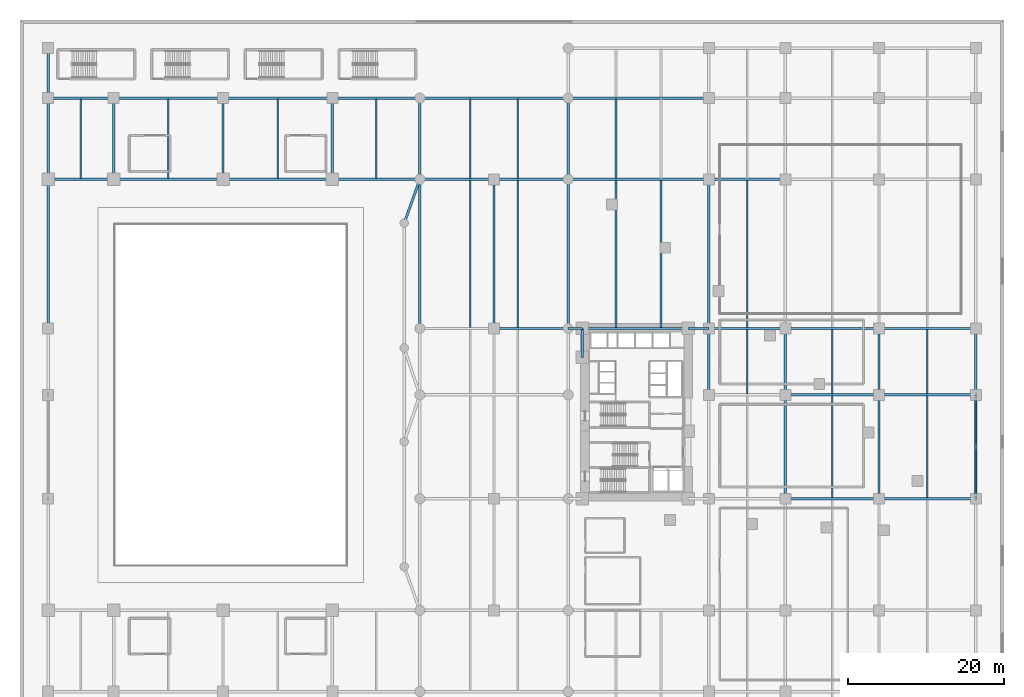
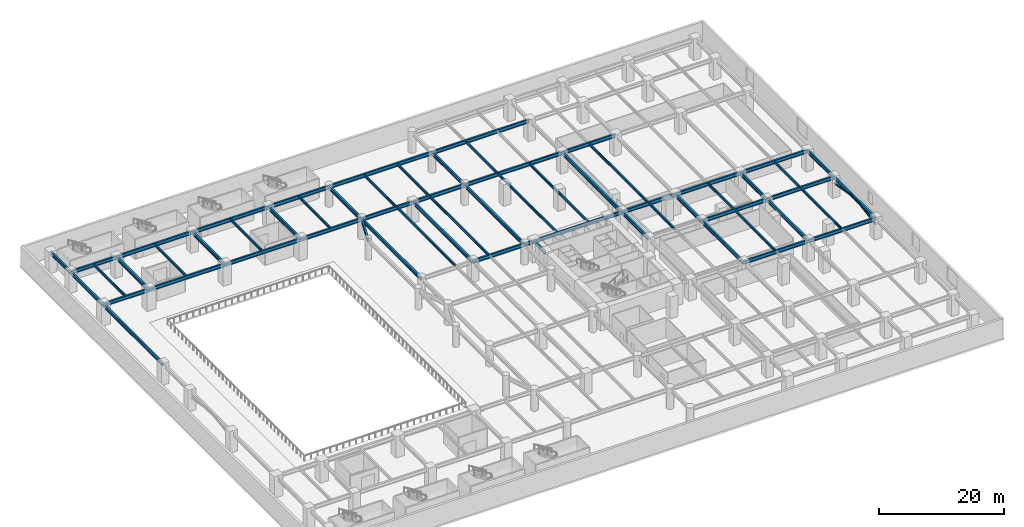
# One storey, part 3 of 22: 63 beams, 2 members.
"""IFC4 building model written with IfcOpenShell, lengths in metres."""

from ifc_helpers import new_model, si_unit, direction, frame, origin, origin_2d, place, context, subcontext, project, spatial, hollow_circle, i_section, extrude, material, material_profile, profile_set, type_object, element, save


model = new_model("IFC4")

# Units and contexts
model_context = context("Model", 3, precision=1e-05, world=origin(), true_north=direction((0.0, 1.0)))
body_context = subcontext(model_context, "Body", "Model", "MODEL_VIEW")
ifc_project = project(units=[si_unit("LENGTHUNIT", "METRE"), si_unit("AREAUNIT", "SQUARE_METRE"), si_unit("VOLUMEUNIT", "CUBIC_METRE"), si_unit("PLANEANGLEUNIT", "RADIAN"), si_unit("MASSUNIT", "GRAM", prefix="KILO")], contexts=[model_context])

# Site, building, storey
site_placement = place(None, origin())
site = spatial("IfcSite", under=ifc_project, at=site_placement, CompositionType="ELEMENT")
building_placement = place(site_placement, origin())
building = spatial("IfcBuilding", under=site, at=building_placement, Name="Narakoshi Arena Tower", CompositionType="ELEMENT")
storey_placement = place(building_placement, frame((0.0, 0.0, 13.199951171875)))
storey = spatial("IfcBuildingStorey", under=building, at=storey_placement, Name="L03", CompositionType="ELEMENT", Elevation=13.199951171875)

# Beams
ifc_material = material(Name="Structural steel S355J2", Category="steel")
ifc_material_profile_1 = material_profile(ifc_material, i_section(OverallWidth=0.300048828125, OverallDepth=0.699951171875, WebThickness=0.01708984375, FlangeThickness=0.031982421875, FilletRadius=0.027099609375, at=origin_2d()), Name="HE700B")
ifc_profile_set_1 = profile_set([ifc_material_profile_1], Name="Structural steel S355J2")
beam_type_1 = type_object("IfcBeamType", Name="BM-PRI-700", PredefinedType="BEAM", material=ifc_profile_set_1)
beam_1_placement = place(storey_placement, frame((49.199951171875, 70.0, 3.530029296875), z_axis=(0.336331195321, 0.94174376932, 0.0), x_axis=(-0.94174376932, 0.336331195321, 0.0)))
element("IfcBeam", 1, at=beam_1_placement, inside=storey, type_object=beam_type_1, Name="L03 Arena Foyer Tie Beam 04", PredefinedType="BEAM", context=body_context, shape_type="SweptSolid", body=[
    extrude(i_section(OverallWidth=0.300048828125, OverallDepth=0.699951171875, WebThickness=0.01708984375, FlangeThickness=0.031982421875, FilletRadius=0.027099609375, at=origin_2d()), origin(), (0.0, 0.0, 1.0), 5.946533203125),
])
beam_2_placement = place(storey_placement, frame((98.0, 34.699951171875, 3.530029296875), z_axis=(1.0, 0.0, 0.0), x_axis=(0.0, 1.0, 0.0)))
element("IfcBeam", 2, at=beam_2_placement, inside=storey, type_object=beam_type_1, Name="L03 Podium Primary X-Girder 029", PredefinedType="BEAM", context=body_context, shape_type="SweptSolid", body=[
    extrude(i_section(OverallWidth=0.300048828125, OverallDepth=0.699951171875, WebThickness=0.01708984375, FlangeThickness=0.031982421875, FilletRadius=0.027099609375, at=origin_2d()), origin(), (0.0, 0.0, 1.0), 12.0),
])
beam_3_placement = place(storey_placement, frame((110.0, 34.699951171875, 3.530029296875), z_axis=(1.0, 0.0, 0.0), x_axis=(0.0, 1.0, 0.0)))
element("IfcBeam", 3, at=beam_3_placement, inside=storey, type_object=beam_type_1, Name="L03 Podium Primary X-Girder 030", PredefinedType="BEAM", context=body_context, shape_type="SweptSolid", body=[
    extrude(i_section(OverallWidth=0.300048828125, OverallDepth=0.699951171875, WebThickness=0.01708984375, FlangeThickness=0.031982421875, FilletRadius=0.027099609375, at=origin_2d()), origin(), (0.0, 0.0, 1.0), 12.39990234375),
])
beam_4_placement = place(storey_placement, frame((98.0, 48.0, 3.530029296875), z_axis=(1.0, 0.0, 0.0), x_axis=(0.0, 1.0, 0.0)))
element("IfcBeam", 4, at=beam_4_placement, inside=storey, type_object=beam_type_1, Name="L03 Podium Primary X-Girder 033", PredefinedType="BEAM", context=body_context, shape_type="SweptSolid", body=[
    extrude(i_section(OverallWidth=0.300048828125, OverallDepth=0.699951171875, WebThickness=0.01708984375, FlangeThickness=0.031982421875, FilletRadius=0.027099609375, at=origin_2d()), origin(), (0.0, 0.0, 1.0), 12.0),
])
beam_5_placement = place(storey_placement, frame((110.0, 48.0, 3.530029296875), z_axis=(1.0, 0.0, 0.0), x_axis=(0.0, 1.0, 0.0)))
element("IfcBeam", 5, at=beam_5_placement, inside=storey, type_object=beam_type_1, Name="L03 Podium Primary X-Girder 034", PredefinedType="BEAM", context=body_context, shape_type="SweptSolid", body=[
    extrude(i_section(OverallWidth=0.300048828125, OverallDepth=0.699951171875, WebThickness=0.01708984375, FlangeThickness=0.031982421875, FilletRadius=0.027099609375, at=origin_2d()), origin(), (0.0, 0.0, 1.0), 12.39990234375),
])
beam_6_placement = place(storey_placement, frame((60.699951171875, 56.5, 3.530029296875), z_axis=(1.0, 0.0, 0.0), x_axis=(0.0, 1.0, 0.0)))
element("IfcBeam", 6, at=beam_6_placement, inside=storey, type_object=beam_type_1, Name="L03 Podium Primary X-Girder 036", PredefinedType="BEAM", context=body_context, shape_type="SweptSolid", body=[
    extrude(i_section(OverallWidth=0.300048828125, OverallDepth=0.699951171875, WebThickness=0.01708984375, FlangeThickness=0.031982421875, FilletRadius=0.027099609375, at=origin_2d()), origin(), (0.0, 0.0, 1.0), 9.5),
])
beam_7_placement = place(storey_placement, frame((70.199951171875, 56.5, 3.530029296875), z_axis=(1.0, 0.0, 0.0), x_axis=(0.0, 1.0, 0.0)))
element("IfcBeam", 7, at=beam_7_placement, inside=storey, type_object=beam_type_1, Name="L03 Podium Primary X-Girder 037", PredefinedType="BEAM", context=body_context, shape_type="SweptSolid", body=[
    extrude(i_section(OverallWidth=0.300048828125, OverallDepth=0.699951171875, WebThickness=0.01708984375, FlangeThickness=0.031982421875, FilletRadius=0.027099609375, at=origin_2d()), origin(), (0.0, 0.0, 1.0), 1.800048828125),
])
beam_8_placement = place(storey_placement, frame((72.0, 56.5, 3.530029296875), z_axis=(1.0, 0.0, 0.0), x_axis=(0.0, 1.0, 0.0)))
element("IfcBeam", 8, at=beam_8_placement, inside=storey, type_object=beam_type_1, Name="L03 Podium Primary X-Girder 038", PredefinedType="BEAM", context=body_context, shape_type="SweptSolid", body=[
    extrude(i_section(OverallWidth=0.300048828125, OverallDepth=0.699951171875, WebThickness=0.01708984375, FlangeThickness=0.031982421875, FilletRadius=0.027099609375, at=origin_2d()), origin(), (0.0, 0.0, 1.0), 13.550048828125),
])
beam_9_placement = place(storey_placement, frame((85.550048828125, 56.5, 3.530029296875), z_axis=(1.0, 0.0, 0.0), x_axis=(0.0, 1.0, 0.0)))
element("IfcBeam", 9, at=beam_9_placement, inside=storey, type_object=beam_type_1, Name="L03 Podium Primary X-Girder 039", PredefinedType="BEAM", context=body_context, shape_type="SweptSolid", body=[
    extrude(i_section(OverallWidth=0.300048828125, OverallDepth=0.699951171875, WebThickness=0.01708984375, FlangeThickness=0.031982421875, FilletRadius=0.027099609375, at=origin_2d()), origin(), (0.0, 0.0, 1.0), 2.64990234375),
])
beam_10_placement = place(storey_placement, frame((88.199951171875, 56.5, 3.530029296875), z_axis=(1.0, 0.0, 0.0), x_axis=(0.0, 1.0, 0.0)))
element("IfcBeam", 10, at=beam_10_placement, inside=storey, type_object=beam_type_1, Name="L03 Podium Primary X-Girder 040", PredefinedType="BEAM", context=body_context, shape_type="SweptSolid", body=[
    extrude(i_section(OverallWidth=0.300048828125, OverallDepth=0.699951171875, WebThickness=0.01708984375, FlangeThickness=0.031982421875, FilletRadius=0.027099609375, at=origin_2d()), origin(), (0.0, 0.0, 1.0), 9.800048828125),
])
beam_11_placement = place(storey_placement, frame((98.0, 56.5, 3.530029296875), z_axis=(1.0, 0.0, 0.0), x_axis=(0.0, 1.0, 0.0)))
element("IfcBeam", 11, at=beam_11_placement, inside=storey, type_object=beam_type_1, Name="L03 Podium Primary X-Girder 041", PredefinedType="BEAM", context=body_context, shape_type="SweptSolid", body=[
    extrude(i_section(OverallWidth=0.300048828125, OverallDepth=0.699951171875, WebThickness=0.01708984375, FlangeThickness=0.031982421875, FilletRadius=0.027099609375, at=origin_2d()), origin(), (0.0, 0.0, 1.0), 12.0),
])
beam_12_placement = place(storey_placement, frame((110.0, 56.5, 3.530029296875), z_axis=(1.0, 0.0, 0.0), x_axis=(0.0, 1.0, 0.0)))
element("IfcBeam", 12, at=beam_12_placement, inside=storey, type_object=beam_type_1, Name="L03 Podium Primary X-Girder 042", PredefinedType="BEAM", context=body_context, shape_type="SweptSolid", body=[
    extrude(i_section(OverallWidth=0.300048828125, OverallDepth=0.699951171875, WebThickness=0.01708984375, FlangeThickness=0.031982421875, FilletRadius=0.027099609375, at=origin_2d()), origin(), (0.0, 0.0, 1.0), 12.39990234375),
])
beam_13_placement = place(storey_placement, frame((3.60009765625, 75.60009765625, 3.530029296875), z_axis=(1.0, 0.0, 0.0), x_axis=(0.0, 1.0, 0.0)))
element("IfcBeam", 13, at=beam_13_placement, inside=storey, type_object=beam_type_1, Name="L03 Podium Primary X-Girder 043", PredefinedType="BEAM", context=body_context, shape_type="SweptSolid", body=[
    extrude(i_section(OverallWidth=0.300048828125, OverallDepth=0.699951171875, WebThickness=0.01708984375, FlangeThickness=0.031982421875, FilletRadius=0.027099609375, at=origin_2d()), origin(), (0.0, 0.0, 1.0), 8.39990234375),
])
for number, where, z_axis, x_axis, name in (
    (14, (12.0, 75.60009765625, 3.530029296875), (1.0, 0.0, 0.0), (0.0, 1.0, 0.0), "L03 Podium Primary X-Girder 044"),
    (15, (26.0, 75.60009765625, 3.530029296875), (1.0, 0.0, 0.0), (0.0, 1.0, 0.0), "L03 Podium Primary X-Girder 045"),
):
    element("IfcBeam", number, at=place(storey_placement, frame(where, z_axis=z_axis, x_axis=x_axis)), inside=storey, type_object=beam_type_1, Name=name, PredefinedType="BEAM", context=body_context, shape_type="SweptSolid", body=[
        extrude(i_section(OverallWidth=0.300048828125, OverallDepth=0.699951171875, WebThickness=0.01708984375, FlangeThickness=0.031982421875, FilletRadius=0.027099609375, at=origin_2d()), origin(), (0.0, 0.0, 1.0), 14.0),
    ])
beam_14_placement = place(storey_placement, frame((40.0, 75.60009765625, 3.530029296875), z_axis=(1.0, 0.0, 0.0), x_axis=(0.0, 1.0, 0.0)))
element("IfcBeam", 16, at=beam_14_placement, inside=storey, type_object=beam_type_1, Name="L03 Podium Primary X-Girder 046", PredefinedType="BEAM", context=body_context, shape_type="SweptSolid", body=[
    extrude(i_section(OverallWidth=0.300048828125, OverallDepth=0.699951171875, WebThickness=0.01708984375, FlangeThickness=0.031982421875, FilletRadius=0.027099609375, at=origin_2d()), origin(), (0.0, 0.0, 1.0), 11.199951171875),
])
for number, where, z_axis, x_axis, name in (
    (17, (51.199951171875, 75.60009765625, 3.530029296875), (1.0, 0.0, 0.0), (0.0, 1.0, 0.0), "L03 Podium Primary X-Girder 047"),
    (18, (60.699951171875, 75.60009765625, 3.530029296875), (1.0, 0.0, 0.0), (0.0, 1.0, 0.0), "L03 Podium Primary X-Girder 048"),
):
    element("IfcBeam", number, at=place(storey_placement, frame(where, z_axis=z_axis, x_axis=x_axis)), inside=storey, type_object=beam_type_1, Name=name, PredefinedType="BEAM", context=body_context, shape_type="SweptSolid", body=[
        extrude(i_section(OverallWidth=0.300048828125, OverallDepth=0.699951171875, WebThickness=0.01708984375, FlangeThickness=0.031982421875, FilletRadius=0.027099609375, at=origin_2d()), origin(), (0.0, 0.0, 1.0), 9.5),
    ])
beam_15_placement = place(storey_placement, frame((70.199951171875, 75.60009765625, 3.530029296875), z_axis=(1.0, 0.0, 0.0), x_axis=(0.0, 1.0, 0.0)))
element("IfcBeam", 19, at=beam_15_placement, inside=storey, type_object=beam_type_1, Name="L03 Podium Primary X-Girder 049", PredefinedType="BEAM", context=body_context, shape_type="SweptSolid", body=[
    extrude(i_section(OverallWidth=0.300048828125, OverallDepth=0.699951171875, WebThickness=0.01708984375, FlangeThickness=0.031982421875, FilletRadius=0.027099609375, at=origin_2d()), origin(), (0.0, 0.0, 1.0), 18.0),
])
beam_16_placement = place(storey_placement, frame((88.199951171875, 75.60009765625, 3.530029296875), z_axis=(1.0, 0.0, 0.0), x_axis=(0.0, 1.0, 0.0)))
element("IfcBeam", 20, at=beam_16_placement, inside=storey, type_object=beam_type_1, Name="L03 Podium Primary X-Girder 050", PredefinedType="BEAM", context=body_context, shape_type="SweptSolid", body=[
    extrude(i_section(OverallWidth=0.300048828125, OverallDepth=0.699951171875, WebThickness=0.01708984375, FlangeThickness=0.031982421875, FilletRadius=0.027099609375, at=origin_2d()), origin(), (0.0, 0.0, 1.0), 9.800048828125),
])
beam_17_placement = place(storey_placement, frame((3.60009765625, 86.0, 3.530029296875), z_axis=(1.0, 0.0, 0.0), x_axis=(0.0, 1.0, 0.0)))
element("IfcBeam", 21, at=beam_17_placement, inside=storey, type_object=beam_type_1, Name="L03 Podium Primary X-Girder 053", PredefinedType="BEAM", context=body_context, shape_type="SweptSolid", body=[
    extrude(i_section(OverallWidth=0.300048828125, OverallDepth=0.699951171875, WebThickness=0.01708984375, FlangeThickness=0.031982421875, FilletRadius=0.027099609375, at=origin_2d()), origin(), (0.0, 0.0, 1.0), 8.39990234375),
])
for number, where, z_axis, x_axis, name in (
    (22, (12.0, 86.0, 3.530029296875), (1.0, 0.0, 0.0), (0.0, 1.0, 0.0), "L03 Podium Primary X-Girder 054"),
    (23, (26.0, 86.0, 3.530029296875), (1.0, 0.0, 0.0), (0.0, 1.0, 0.0), "L03 Podium Primary X-Girder 055"),
):
    element("IfcBeam", number, at=place(storey_placement, frame(where, z_axis=z_axis, x_axis=x_axis)), inside=storey, type_object=beam_type_1, Name=name, PredefinedType="BEAM", context=body_context, shape_type="SweptSolid", body=[
        extrude(i_section(OverallWidth=0.300048828125, OverallDepth=0.699951171875, WebThickness=0.01708984375, FlangeThickness=0.031982421875, FilletRadius=0.027099609375, at=origin_2d()), origin(), (0.0, 0.0, 1.0), 14.0),
    ])
beam_18_placement = place(storey_placement, frame((40.0, 86.0, 3.530029296875), z_axis=(1.0, 0.0, 0.0), x_axis=(0.0, 1.0, 0.0)))
element("IfcBeam", 24, at=beam_18_placement, inside=storey, type_object=beam_type_1, Name="L03 Podium Primary X-Girder 056", PredefinedType="BEAM", context=body_context, shape_type="SweptSolid", body=[
    extrude(i_section(OverallWidth=0.300048828125, OverallDepth=0.699951171875, WebThickness=0.01708984375, FlangeThickness=0.031982421875, FilletRadius=0.027099609375, at=origin_2d()), origin(), (0.0, 0.0, 1.0), 11.199951171875),
])
beam_19_placement = place(storey_placement, frame((51.199951171875, 86.0, 3.530029296875), z_axis=(1.0, 0.0, 0.0), x_axis=(0.0, 1.0, 0.0)))
element("IfcBeam", 25, at=beam_19_placement, inside=storey, type_object=beam_type_1, Name="L03 Podium Primary X-Girder 057", PredefinedType="BEAM", context=body_context, shape_type="SweptSolid", body=[
    extrude(i_section(OverallWidth=0.300048828125, OverallDepth=0.699951171875, WebThickness=0.01708984375, FlangeThickness=0.031982421875, FilletRadius=0.027099609375, at=origin_2d()), origin(), (0.0, 0.0, 1.0), 19.0),
])
beam_20_placement = place(storey_placement, frame((70.199951171875, 86.0, 3.530029296875), z_axis=(1.0, 0.0, 0.0), x_axis=(0.0, 1.0, 0.0)))
element("IfcBeam", 26, at=beam_20_placement, inside=storey, type_object=beam_type_1, Name="L03 Podium Primary X-Girder 058", PredefinedType="BEAM", context=body_context, shape_type="SweptSolid", body=[
    extrude(i_section(OverallWidth=0.300048828125, OverallDepth=0.699951171875, WebThickness=0.01708984375, FlangeThickness=0.031982421875, FilletRadius=0.027099609375, at=origin_2d()), origin(), (0.0, 0.0, 1.0), 18.0),
])
beam_21_placement = place(storey_placement, frame((3.60009765625, 56.5, 3.530029296875), z_axis=(0.0, 1.0, 0.0), x_axis=(-1.0, 0.0, 0.0)))
element("IfcBeam", 27, at=beam_21_placement, inside=storey, type_object=beam_type_1, Name="L03 Podium Primary Y-Girder 071", PredefinedType="BEAM", context=body_context, shape_type="SweptSolid", body=[
    extrude(i_section(OverallWidth=0.300048828125, OverallDepth=0.699951171875, WebThickness=0.01708984375, FlangeThickness=0.031982421875, FilletRadius=0.027099609375, at=origin_2d()), origin(), (0.0, 0.0, 1.0), 19.10009765625),
])
beam_22_placement = place(storey_placement, frame((3.60009765625, 75.60009765625, 3.530029296875), z_axis=(0.0, 1.0, 0.0), x_axis=(-1.0, 0.0, 0.0)))
element("IfcBeam", 28, at=beam_22_placement, inside=storey, type_object=beam_type_1, Name="L03 Podium Primary Y-Girder 072", PredefinedType="BEAM", context=body_context, shape_type="SweptSolid", body=[
    extrude(i_section(OverallWidth=0.300048828125, OverallDepth=0.699951171875, WebThickness=0.01708984375, FlangeThickness=0.031982421875, FilletRadius=0.027099609375, at=origin_2d()), origin(), (0.0, 0.0, 1.0), 10.39990234375),
])
beam_23_placement = place(storey_placement, frame((3.60009765625, 86.0, 3.530029296875), z_axis=(0.0, 1.0, 0.0), x_axis=(-1.0, 0.0, 0.0)))
element("IfcBeam", 29, at=beam_23_placement, inside=storey, type_object=beam_type_1, Name="L03 Podium Primary Y-Girder 073", PredefinedType="BEAM", context=body_context, shape_type="SweptSolid", body=[
    extrude(i_section(OverallWidth=0.300048828125, OverallDepth=0.699951171875, WebThickness=0.01708984375, FlangeThickness=0.031982421875, FilletRadius=0.027099609375, at=origin_2d()), origin(), (0.0, 0.0, 1.0), 6.39990234375),
])
for number, where, z_axis, x_axis, name in (
    (30, (12.0, 75.60009765625, 3.530029296875), (0.0, 1.0, 0.0), (-1.0, 0.0, 0.0), "L03 Podium Primary Y-Girder 075"),
    (31, (26.0, 75.60009765625, 3.530029296875), (0.0, 1.0, 0.0), (-1.0, 0.0, 0.0), "L03 Podium Primary Y-Girder 077"),
    (32, (40.0, 75.60009765625, 3.530029296875), (0.0, 1.0, 0.0), (-1.0, 0.0, 0.0), "L03 Podium Primary Y-Girder 079"),
):
    element("IfcBeam", number, at=place(storey_placement, frame(where, z_axis=z_axis, x_axis=x_axis)), inside=storey, type_object=beam_type_1, Name=name, PredefinedType="BEAM", context=body_context, shape_type="SweptSolid", body=[
        extrude(i_section(OverallWidth=0.300048828125, OverallDepth=0.699951171875, WebThickness=0.01708984375, FlangeThickness=0.031982421875, FilletRadius=0.027099609375, at=origin_2d()), origin(), (0.0, 0.0, 1.0), 10.39990234375),
    ])
beam_24_placement = place(storey_placement, frame((51.199951171875, 56.5, 3.530029296875), z_axis=(0.0, 1.0, 0.0), x_axis=(-1.0, 0.0, 0.0)))
element("IfcBeam", 33, at=beam_24_placement, inside=storey, type_object=beam_type_1, Name="L03 Podium Primary Y-Girder 084", PredefinedType="BEAM", context=body_context, shape_type="SweptSolid", body=[
    extrude(i_section(OverallWidth=0.300048828125, OverallDepth=0.699951171875, WebThickness=0.01708984375, FlangeThickness=0.031982421875, FilletRadius=0.027099609375, at=origin_2d()), origin(), (0.0, 0.0, 1.0), 19.10009765625),
])
beam_25_placement = place(storey_placement, frame((51.199951171875, 75.60009765625, 3.530029296875), z_axis=(0.0, 1.0, 0.0), x_axis=(-1.0, 0.0, 0.0)))
element("IfcBeam", 34, at=beam_25_placement, inside=storey, type_object=beam_type_1, Name="L03 Podium Primary Y-Girder 085", PredefinedType="BEAM", context=body_context, shape_type="SweptSolid", body=[
    extrude(i_section(OverallWidth=0.300048828125, OverallDepth=0.699951171875, WebThickness=0.01708984375, FlangeThickness=0.031982421875, FilletRadius=0.027099609375, at=origin_2d()), origin(), (0.0, 0.0, 1.0), 10.39990234375),
])
for number, where, z_axis, x_axis, name in (
    (35, (60.699951171875, 56.5, 3.530029296875), (0.0, 1.0, 0.0), (-1.0, 0.0, 0.0), "L03 Podium Primary Y-Girder 088"),
    (36, (70.199951171875, 56.5, 3.530029296875), (0.0, 1.0, 0.0), (-1.0, 0.0, 0.0), "L03 Podium Primary Y-Girder 094"),
):
    element("IfcBeam", number, at=place(storey_placement, frame(where, z_axis=z_axis, x_axis=x_axis)), inside=storey, type_object=beam_type_1, Name=name, PredefinedType="BEAM", context=body_context, shape_type="SweptSolid", body=[
        extrude(i_section(OverallWidth=0.300048828125, OverallDepth=0.699951171875, WebThickness=0.01708984375, FlangeThickness=0.031982421875, FilletRadius=0.027099609375, at=origin_2d()), origin(), (0.0, 0.0, 1.0), 19.10009765625),
    ])
beam_26_placement = place(storey_placement, frame((70.199951171875, 75.60009765625, 3.530029296875), z_axis=(0.0, 1.0, 0.0), x_axis=(-1.0, 0.0, 0.0)))
element("IfcBeam", 37, at=beam_26_placement, inside=storey, type_object=beam_type_1, Name="L03 Podium Primary Y-Girder 095", PredefinedType="BEAM", context=body_context, shape_type="SweptSolid", body=[
    extrude(i_section(OverallWidth=0.300048828125, OverallDepth=0.699951171875, WebThickness=0.01708984375, FlangeThickness=0.031982421875, FilletRadius=0.027099609375, at=origin_2d()), origin(), (0.0, 0.0, 1.0), 10.39990234375),
])
beam_27_placement = place(storey_placement, frame((72.0, 52.800048828125, 3.530029296875), z_axis=(0.0, 1.0, 0.0), x_axis=(-1.0, 0.0, 0.0)))
element("IfcBeam", 38, at=beam_27_placement, inside=storey, type_object=beam_type_1, Name="L03 Podium Primary Y-Girder 097", PredefinedType="BEAM", context=body_context, shape_type="SweptSolid", body=[
    extrude(i_section(OverallWidth=0.300048828125, OverallDepth=0.699951171875, WebThickness=0.01708984375, FlangeThickness=0.031982421875, FilletRadius=0.027099609375, at=origin_2d()), origin(), (0.0, 0.0, 1.0), 3.699951171875),
])
beam_28_placement = place(storey_placement, frame((88.199951171875, 48.0, 3.530029296875), z_axis=(0.0, 1.0, 0.0), x_axis=(-1.0, 0.0, 0.0)))
element("IfcBeam", 39, at=beam_28_placement, inside=storey, type_object=beam_type_1, Name="L03 Podium Primary Y-Girder 102", PredefinedType="BEAM", context=body_context, shape_type="SweptSolid", body=[
    extrude(i_section(OverallWidth=0.300048828125, OverallDepth=0.699951171875, WebThickness=0.01708984375, FlangeThickness=0.031982421875, FilletRadius=0.027099609375, at=origin_2d()), origin(), (0.0, 0.0, 1.0), 8.5),
])
beam_29_placement = place(storey_placement, frame((88.199951171875, 56.5, 3.530029296875), z_axis=(0.0, 1.0, 0.0), x_axis=(-1.0, 0.0, 0.0)))
element("IfcBeam", 40, at=beam_29_placement, inside=storey, type_object=beam_type_1, Name="L03 Podium Primary Y-Girder 103", PredefinedType="BEAM", context=body_context, shape_type="SweptSolid", body=[
    extrude(i_section(OverallWidth=0.300048828125, OverallDepth=0.699951171875, WebThickness=0.01708984375, FlangeThickness=0.031982421875, FilletRadius=0.027099609375, at=origin_2d()), origin(), (0.0, 0.0, 1.0), 19.10009765625),
])
beam_30_placement = place(storey_placement, frame((98.0, 34.699951171875, 3.530029296875), z_axis=(0.0, 1.0, 0.0), x_axis=(-1.0, 0.0, 0.0)))
element("IfcBeam", 41, at=beam_30_placement, inside=storey, type_object=beam_type_1, Name="L03 Podium Primary Y-Girder 109", PredefinedType="BEAM", context=body_context, shape_type="SweptSolid", body=[
    extrude(i_section(OverallWidth=0.300048828125, OverallDepth=0.699951171875, WebThickness=0.01708984375, FlangeThickness=0.031982421875, FilletRadius=0.027099609375, at=origin_2d()), origin(), (0.0, 0.0, 1.0), 13.300048828125),
])
beam_31_placement = place(storey_placement, frame((98.0, 48.0, 3.530029296875), z_axis=(0.0, 1.0, 0.0), x_axis=(-1.0, 0.0, 0.0)))
element("IfcBeam", 42, at=beam_31_placement, inside=storey, type_object=beam_type_1, Name="L03 Podium Primary Y-Girder 110", PredefinedType="BEAM", context=body_context, shape_type="SweptSolid", body=[
    extrude(i_section(OverallWidth=0.300048828125, OverallDepth=0.699951171875, WebThickness=0.01708984375, FlangeThickness=0.031982421875, FilletRadius=0.027099609375, at=origin_2d()), origin(), (0.0, 0.0, 1.0), 8.5),
])
beam_32_placement = place(storey_placement, frame((110.0, 34.699951171875, 3.530029296875), z_axis=(0.0, 1.0, 0.0), x_axis=(-1.0, 0.0, 0.0)))
element("IfcBeam", 43, at=beam_32_placement, inside=storey, type_object=beam_type_1, Name="L03 Podium Primary Y-Girder 117", PredefinedType="BEAM", context=body_context, shape_type="SweptSolid", body=[
    extrude(i_section(OverallWidth=0.300048828125, OverallDepth=0.699951171875, WebThickness=0.01708984375, FlangeThickness=0.031982421875, FilletRadius=0.027099609375, at=origin_2d()), origin(), (0.0, 0.0, 1.0), 13.300048828125),
])
beam_33_placement = place(storey_placement, frame((110.0, 48.0, 3.530029296875), z_axis=(0.0, 1.0, 0.0), x_axis=(-1.0, 0.0, 0.0)))
element("IfcBeam", 44, at=beam_33_placement, inside=storey, type_object=beam_type_1, Name="L03 Podium Primary Y-Girder 118", PredefinedType="BEAM", context=body_context, shape_type="SweptSolid", body=[
    extrude(i_section(OverallWidth=0.300048828125, OverallDepth=0.699951171875, WebThickness=0.01708984375, FlangeThickness=0.031982421875, FilletRadius=0.027099609375, at=origin_2d()), origin(), (0.0, 0.0, 1.0), 8.5),
])
beam_34_placement = place(storey_placement, frame((122.39990234375, 34.699951171875, 3.530029296875), z_axis=(0.0, 1.0, 0.0), x_axis=(-1.0, 0.0, 0.0)))
element("IfcBeam", 45, at=beam_34_placement, inside=storey, type_object=beam_type_1, Name="L03 Podium Primary Y-Girder 125", PredefinedType="BEAM", context=body_context, shape_type="SweptSolid", body=[
    extrude(i_section(OverallWidth=0.300048828125, OverallDepth=0.699951171875, WebThickness=0.01708984375, FlangeThickness=0.031982421875, FilletRadius=0.027099609375, at=origin_2d()), origin(), (0.0, 0.0, 1.0), 13.300048828125),
])
beam_35_placement = place(storey_placement, frame((122.39990234375, 48.0, 3.530029296875), z_axis=(0.0, 1.0, 0.0), x_axis=(-1.0, 0.0, 0.0)))
element("IfcBeam", 46, at=beam_35_placement, inside=storey, type_object=beam_type_1, Name="L03 Podium Primary Y-Girder 126", PredefinedType="BEAM", context=body_context, shape_type="SweptSolid", body=[
    extrude(i_section(OverallWidth=0.300048828125, OverallDepth=0.699951171875, WebThickness=0.01708984375, FlangeThickness=0.031982421875, FilletRadius=0.027099609375, at=origin_2d()), origin(), (0.0, 0.0, 1.0), 8.5),
])
ifc_material_profile_2 = material_profile(ifc_material, i_section(OverallWidth=0.199951171875, OverallDepth=0.5, WebThickness=0.01025390625, FlangeThickness=0.01611328125, FilletRadius=0.02099609375, at=origin_2d()), Name="IPE500")
ifc_profile_set_2 = profile_set([ifc_material_profile_2], Name="Structural steel S355J2")
beam_type_2 = type_object("IfcBeamType", Name="BM-SEC-500", PredefinedType="JOIST", material=ifc_profile_set_2)
for number, where, z_axis, x_axis, name in (
    (47, (7.800048828125, 75.735107421875, 3.630126953125), (0.0, 1.0, 0.0), (-1.0, 0.0, 0.0), "L03 Podium Composite Floor Joist 002"),
    (48, (19.0, 75.735107421875, 3.630126953125), (0.0, 1.0, 0.0), (-1.0, 0.0, 0.0), "L03 Podium Composite Floor Joist 004"),
    (49, (33.0, 75.735107421875, 3.630126953125), (0.0, 1.0, 0.0), (-1.0, 0.0, 0.0), "L03 Podium Composite Floor Joist 006"),
    (50, (45.60009765625, 75.735107421875, 3.630126953125), (0.0, 1.0, 0.0), (-1.0, 0.0, 0.0), "L03 Podium Composite Floor Joist 008"),
):
    element("IfcBeam", number, at=place(storey_placement, frame(where, z_axis=z_axis, x_axis=x_axis)), inside=storey, type_object=beam_type_2, Name=name, PredefinedType="JOIST", context=body_context, shape_type="SweptSolid", body=[
        extrude(i_section(OverallWidth=0.199951171875, OverallDepth=0.5, WebThickness=0.01025390625, FlangeThickness=0.01611328125, FilletRadius=0.02099609375, at=origin_2d()), origin(), (0.0, 0.0, 1.0), 10.1298828125),
    ])
beam_36_placement = place(storey_placement, frame((57.659912109375, 56.635009765625, 3.630126953125), z_axis=(0.0, 1.0, 0.0), x_axis=(-1.0, 0.0, 0.0)))
element("IfcBeam", 51, at=beam_36_placement, inside=storey, type_object=beam_type_2, Name="L03 Podium Composite Floor Joist 013", PredefinedType="JOIST", context=body_context, shape_type="SweptSolid", body=[
    extrude(i_section(OverallWidth=0.199951171875, OverallDepth=0.5, WebThickness=0.01025390625, FlangeThickness=0.01611328125, FilletRadius=0.02099609375, at=origin_2d()), origin(), (0.0, 0.0, 1.0), 18.830078125),
])
beam_37_placement = place(storey_placement, frame((57.659912109375, 75.735107421875, 3.630126953125), z_axis=(0.0, 1.0, 0.0), x_axis=(-1.0, 0.0, 0.0)))
element("IfcBeam", 52, at=beam_37_placement, inside=storey, type_object=beam_type_2, Name="L03 Podium Composite Floor Joist 014", PredefinedType="JOIST", context=body_context, shape_type="SweptSolid", body=[
    extrude(i_section(OverallWidth=0.199951171875, OverallDepth=0.5, WebThickness=0.01025390625, FlangeThickness=0.01611328125, FilletRadius=0.02099609375, at=origin_2d()), origin(), (0.0, 0.0, 1.0), 10.1298828125),
])
beam_38_placement = place(storey_placement, frame((63.739990234375, 56.635009765625, 3.630126953125), z_axis=(0.0, 1.0, 0.0), x_axis=(-1.0, 0.0, 0.0)))
element("IfcBeam", 53, at=beam_38_placement, inside=storey, type_object=beam_type_2, Name="L03 Podium Composite Floor Joist 019", PredefinedType="JOIST", context=body_context, shape_type="SweptSolid", body=[
    extrude(i_section(OverallWidth=0.199951171875, OverallDepth=0.5, WebThickness=0.01025390625, FlangeThickness=0.01611328125, FilletRadius=0.02099609375, at=origin_2d()), origin(), (0.0, 0.0, 1.0), 18.830078125),
])
beam_39_placement = place(storey_placement, frame((63.739990234375, 75.735107421875, 3.630126953125), z_axis=(0.0, 1.0, 0.0), x_axis=(-1.0, 0.0, 0.0)))
element("IfcBeam", 54, at=beam_39_placement, inside=storey, type_object=beam_type_2, Name="L03 Podium Composite Floor Joist 020", PredefinedType="JOIST", context=body_context, shape_type="SweptSolid", body=[
    extrude(i_section(OverallWidth=0.199951171875, OverallDepth=0.5, WebThickness=0.01025390625, FlangeThickness=0.01611328125, FilletRadius=0.02099609375, at=origin_2d()), origin(), (0.0, 0.0, 1.0), 10.1298828125),
])
beam_40_placement = place(storey_placement, frame((76.320068359375, 56.635009765625, 3.630126953125), z_axis=(0.0, 1.0, 0.0), x_axis=(-1.0, 0.0, 0.0)))
element("IfcBeam", 55, at=beam_40_placement, inside=storey, type_object=beam_type_2, Name="L03 Podium Composite Floor Joist 023", PredefinedType="JOIST", context=body_context, shape_type="SweptSolid", body=[
    extrude(i_section(OverallWidth=0.199951171875, OverallDepth=0.5, WebThickness=0.01025390625, FlangeThickness=0.01611328125, FilletRadius=0.02099609375, at=origin_2d()), origin(), (0.0, 0.0, 1.0), 18.830078125),
])
beam_41_placement = place(storey_placement, frame((76.320068359375, 75.735107421875, 3.630126953125), z_axis=(0.0, 1.0, 0.0), x_axis=(-1.0, 0.0, 0.0)))
element("IfcBeam", 56, at=beam_41_placement, inside=storey, type_object=beam_type_2, Name="L03 Podium Composite Floor Joist 024", PredefinedType="JOIST", context=body_context, shape_type="SweptSolid", body=[
    extrude(i_section(OverallWidth=0.199951171875, OverallDepth=0.5, WebThickness=0.01025390625, FlangeThickness=0.01611328125, FilletRadius=0.02099609375, at=origin_2d()), origin(), (0.0, 0.0, 1.0), 10.1298828125),
])
beam_42_placement = place(storey_placement, frame((82.080078125, 56.635009765625, 3.630126953125), z_axis=(0.0, 1.0, 0.0), x_axis=(-1.0, 0.0, 0.0)))
element("IfcBeam", 57, at=beam_42_placement, inside=storey, type_object=beam_type_2, Name="L03 Podium Composite Floor Joist 028", PredefinedType="JOIST", context=body_context, shape_type="SweptSolid", body=[
    extrude(i_section(OverallWidth=0.199951171875, OverallDepth=0.5, WebThickness=0.01025390625, FlangeThickness=0.01611328125, FilletRadius=0.02099609375, at=origin_2d()), origin(), (0.0, 0.0, 1.0), 18.830078125),
])
beam_43_placement = place(storey_placement, frame((93.10009765625, 48.135009765625, 3.630126953125), z_axis=(0.0, 1.0, 0.0), x_axis=(-1.0, 0.0, 0.0)))
element("IfcBeam", 58, at=beam_43_placement, inside=storey, type_object=beam_type_2, Name="L03 Podium Composite Floor Joist 035", PredefinedType="JOIST", context=body_context, shape_type="SweptSolid", body=[
    extrude(i_section(OverallWidth=0.199951171875, OverallDepth=0.5, WebThickness=0.01025390625, FlangeThickness=0.01611328125, FilletRadius=0.02099609375, at=origin_2d()), origin(), (0.0, 0.0, 1.0), 8.22998046875),
])
beam_44_placement = place(storey_placement, frame((93.10009765625, 56.635009765625, 3.630126953125), z_axis=(0.0, 1.0, 0.0), x_axis=(-1.0, 0.0, 0.0)))
element("IfcBeam", 59, at=beam_44_placement, inside=storey, type_object=beam_type_2, Name="L03 Podium Composite Floor Joist 036", PredefinedType="JOIST", context=body_context, shape_type="SweptSolid", body=[
    extrude(i_section(OverallWidth=0.199951171875, OverallDepth=0.5, WebThickness=0.01025390625, FlangeThickness=0.01611328125, FilletRadius=0.02099609375, at=origin_2d()), origin(), (0.0, 0.0, 1.0), 18.830078125),
])
beam_45_placement = place(storey_placement, frame((104.0, 34.8349609375, 3.630126953125), z_axis=(0.0, 1.0, 0.0), x_axis=(-1.0, 0.0, 0.0)))
element("IfcBeam", 60, at=beam_45_placement, inside=storey, type_object=beam_type_2, Name="L03 Podium Composite Floor Joist 042", PredefinedType="JOIST", context=body_context, shape_type="SweptSolid", body=[
    extrude(i_section(OverallWidth=0.199951171875, OverallDepth=0.5, WebThickness=0.01025390625, FlangeThickness=0.01611328125, FilletRadius=0.02099609375, at=origin_2d()), origin(), (0.0, 0.0, 1.0), 13.030029296875),
])
beam_46_placement = place(storey_placement, frame((104.0, 48.135009765625, 3.630126953125), z_axis=(0.0, 1.0, 0.0), x_axis=(-1.0, 0.0, 0.0)))
element("IfcBeam", 61, at=beam_46_placement, inside=storey, type_object=beam_type_2, Name="L03 Podium Composite Floor Joist 043", PredefinedType="JOIST", context=body_context, shape_type="SweptSolid", body=[
    extrude(i_section(OverallWidth=0.199951171875, OverallDepth=0.5, WebThickness=0.01025390625, FlangeThickness=0.01611328125, FilletRadius=0.02099609375, at=origin_2d()), origin(), (0.0, 0.0, 1.0), 8.22998046875),
])
beam_47_placement = place(storey_placement, frame((116.199951171875, 34.8349609375, 3.630126953125), z_axis=(0.0, 1.0, 0.0), x_axis=(-1.0, 0.0, 0.0)))
element("IfcBeam", 62, at=beam_47_placement, inside=storey, type_object=beam_type_2, Name="L03 Podium Composite Floor Joist 050", PredefinedType="JOIST", context=body_context, shape_type="SweptSolid", body=[
    extrude(i_section(OverallWidth=0.199951171875, OverallDepth=0.5, WebThickness=0.01025390625, FlangeThickness=0.01611328125, FilletRadius=0.02099609375, at=origin_2d()), origin(), (0.0, 0.0, 1.0), 13.030029296875),
])
beam_48_placement = place(storey_placement, frame((116.199951171875, 48.135009765625, 3.630126953125), z_axis=(0.0, 1.0, 0.0), x_axis=(-1.0, 0.0, 0.0)))
element("IfcBeam", 63, at=beam_48_placement, inside=storey, type_object=beam_type_2, Name="L03 Podium Composite Floor Joist 051", PredefinedType="JOIST", context=body_context, shape_type="SweptSolid", body=[
    extrude(i_section(OverallWidth=0.199951171875, OverallDepth=0.5, WebThickness=0.01025390625, FlangeThickness=0.01611328125, FilletRadius=0.02099609375, at=origin_2d()), origin(), (0.0, 0.0, 1.0), 8.22998046875),
])

# Members
ifc_material_profile_3 = material_profile(ifc_material, hollow_circle(Radius=0.161865234375, WallThickness=0.012451171875, at=origin_2d()), Name="CHS323x12")
ifc_profile_set_3 = profile_set([ifc_material_profile_3], Name="Structural steel S355J2")
member_type = type_object("IfcMemberType", Name="MEM-BR-323", PredefinedType="BRACE", material=ifc_profile_set_3)
member_1_placement = place(storey_placement, frame((122.39990234375, 34.699951171875, 2.400146484375), z_axis=(0.0, 0.985871569865, 0.167502978279), x_axis=(-1.0, 0.0, 0.0)))
element("IfcMember", 64, at=member_1_placement, inside=storey, type_object=member_type, Name="L03 Podium Lateral Brace 2A", PredefinedType="BRACE", context=body_context, shape_type="SweptSolid", body=[
    extrude(hollow_circle(Radius=0.161865234375, WallThickness=0.012451171875, at=origin_2d()), origin(), (0.0, 0.0, 1.0), 6.745361328125),
])
member_2_placement = place(storey_placement, frame((122.39990234375, 48.0, 2.400146484375), z_axis=(0.0, -0.985870554324, 0.167508955335), x_axis=(1.0, 0.0, 0.0)))
element("IfcMember", 65, at=member_2_placement, inside=storey, type_object=member_type, Name="L03 Podium Lateral Brace 2B", PredefinedType="BRACE", context=body_context, shape_type="SweptSolid", body=[
    extrude(hollow_circle(Radius=0.161865234375, WallThickness=0.012451171875, at=origin_2d()), origin(), (0.0, 0.0, 1.0), 6.7451171875),
])

save(model, "model.ifc")
